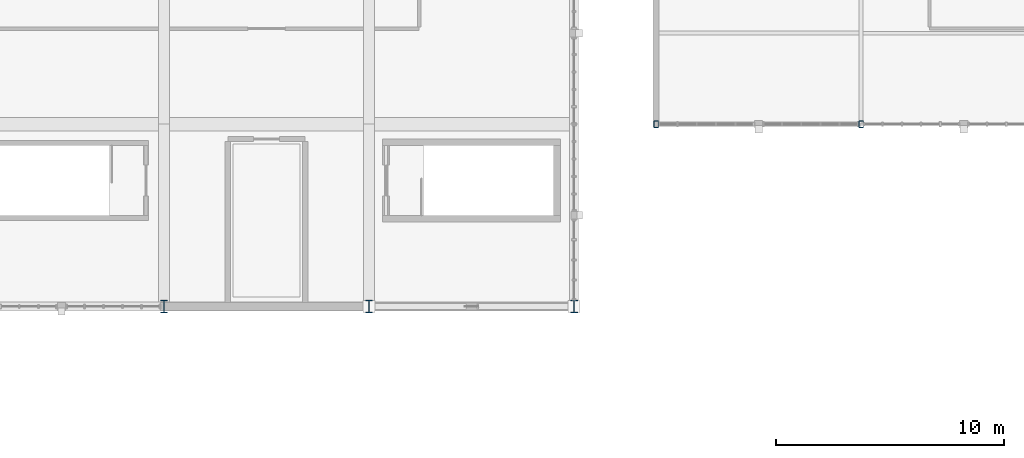
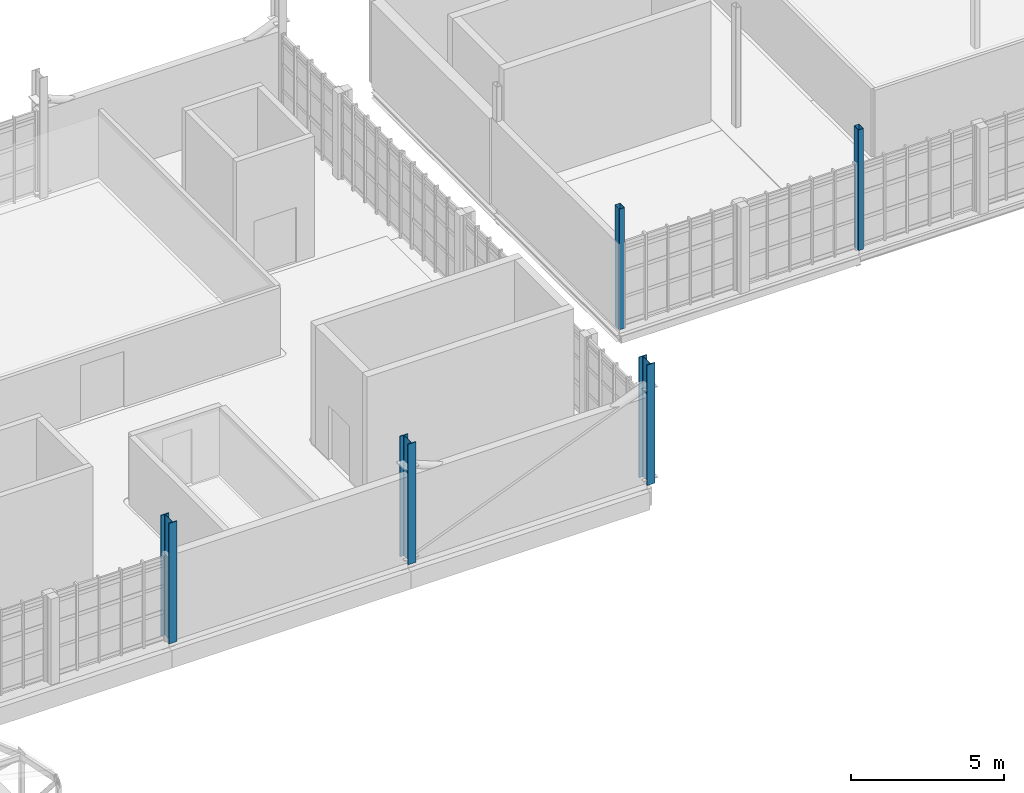
# One storey, part 5 of 128: 5 columns.
"""IFC4 building model written with IfcOpenShell, lengths in metres."""

from ifc_helpers import new_model, si_unit, direction, frame, origin, origin_2d, place, context, subcontext, project, spatial, hollow_rectangle, i_section, extrude, material, material_profile, profile_set, type_object, element, save


model = new_model("IFC4")

# Units and contexts
model_context = context("Model", 3, precision=1e-05, world=origin(), true_north=direction((0.0, 1.0)))
body_context = subcontext(model_context, "Body", "Model", "MODEL_VIEW")
ifc_project = project(units=[si_unit("LENGTHUNIT", "METRE"), si_unit("AREAUNIT", "SQUARE_METRE"), si_unit("VOLUMEUNIT", "CUBIC_METRE"), si_unit("PLANEANGLEUNIT", "RADIAN"), si_unit("MASSUNIT", "GRAM", prefix="KILO")], contexts=[model_context])

# Site, building, storey
site_placement = place(None, origin())
site = spatial("IfcSite", under=ifc_project, at=site_placement, CompositionType="ELEMENT")
building_placement = place(site_placement, origin())
building = spatial("IfcBuilding", under=site, at=building_placement, Name="Serraforn Aerial Cableway Station", CompositionType="ELEMENT")
storey_placement = place(building_placement, frame((0.0, 0.0, 9.0)))
storey = spatial("IfcBuildingStorey", under=building, at=storey_placement, Name="L02", CompositionType="ELEMENT", Elevation=9.0)

# Columns
ifc_material = material(Name="Steel S355J2", Category="steel")
ifc_material_profile_1 = material_profile(ifc_material, i_section(OverallWidth=0.300048828125, OverallDepth=0.550048828125, WebThickness=0.014892578125, FlangeThickness=0.029052734375, FilletRadius=0.027099609375, at=origin_2d()), Name="HEB 550")
ifc_profile_set_1 = profile_set([ifc_material_profile_1], Name="Steel S355J2")
column_type_1 = type_object("IfcColumnType", Name="COL-ST-HEB550", PredefinedType="COLUMN", material=ifc_profile_set_1)
for number, where, z_axis, x_axis, name in (
    (1, (72.60009765625, 18.0, 0.0), (0.0, 0.0, 1.0), (1.0, 0.0, 0.0), "Column CV L02 10-C"),
    (2, (81.60009765625, 18.0, 0.0), (0.0, 0.0, 1.0), (1.0, 0.0, 0.0), "Column CV L02 11-C"),
    (3, (90.60009765625, 18.0, 0.0), (0.0, 0.0, 1.0), (1.0, 0.0, 0.0), "Column CV L02 12-C"),
):
    element("IfcColumn", number, at=place(storey_placement, frame(where, z_axis=z_axis, x_axis=x_axis)), inside=storey, type_object=column_type_1, Name=name, PredefinedType="COLUMN", context=body_context, shape_type="SweptSolid", body=[
        extrude(i_section(OverallWidth=0.300048828125, OverallDepth=0.550048828125, WebThickness=0.014892578125, FlangeThickness=0.029052734375, FilletRadius=0.027099609375, at=origin_2d()), origin(), (0.0, 0.0, 1.0), 4.800048828125),
    ])
ifc_material_profile_2 = material_profile(ifc_material, hollow_rectangle(XDim=0.199951171875, YDim=0.300048828125, WallThickness=0.012451171875, InnerFilletRadius=0.012451171875, OuterFilletRadius=0.02490234375, at=origin_2d()), Name="RHS 300x200x12.5")
ifc_profile_set_2 = profile_set([ifc_material_profile_2], Name="Steel S355J2")
column_type_2 = type_object("IfcColumnType", Name="COL-ST-RHS300", PredefinedType="COLUMN", material=ifc_profile_set_2)
for number, where, z_axis, x_axis, name in (
    (4, (94.199951171875, 26.0, 0.0), (0.0, 0.0, 1.0), (1.0, 0.0, 0.0), "Column EL L02 13-D1"),
    (5, (103.199951171875, 26.0, 0.0), (0.0, 0.0, 1.0), (1.0, 0.0, 0.0), "Column EL L02 14-D1"),
):
    element("IfcColumn", number, at=place(storey_placement, frame(where, z_axis=z_axis, x_axis=x_axis)), inside=storey, type_object=column_type_2, Name=name, PredefinedType="COLUMN", context=body_context, shape_type="SweptSolid", body=[
        extrude(hollow_rectangle(XDim=0.199951171875, YDim=0.300048828125, WallThickness=0.012451171875, InnerFilletRadius=0.012451171875, OuterFilletRadius=0.02490234375, at=origin_2d()), origin(), (0.0, 0.0, 1.0), 4.800048828125),
    ])

save(model, "model.ifc")
